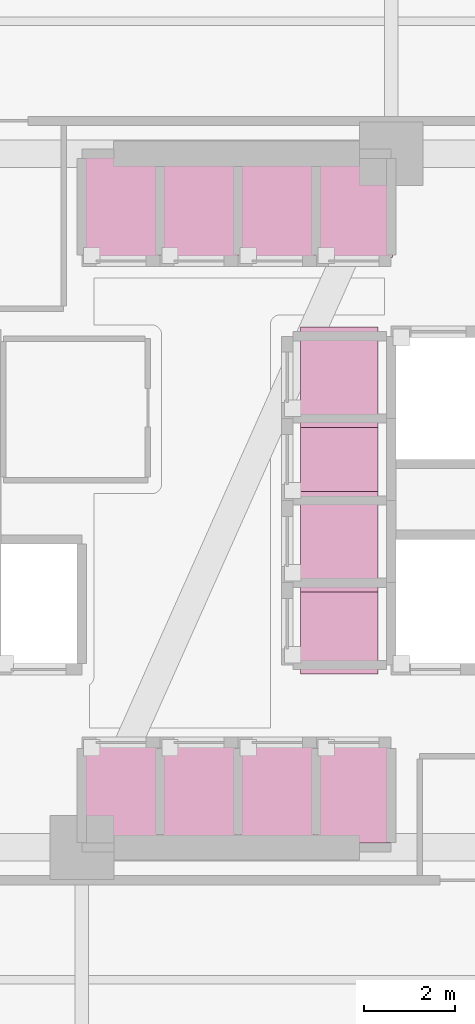
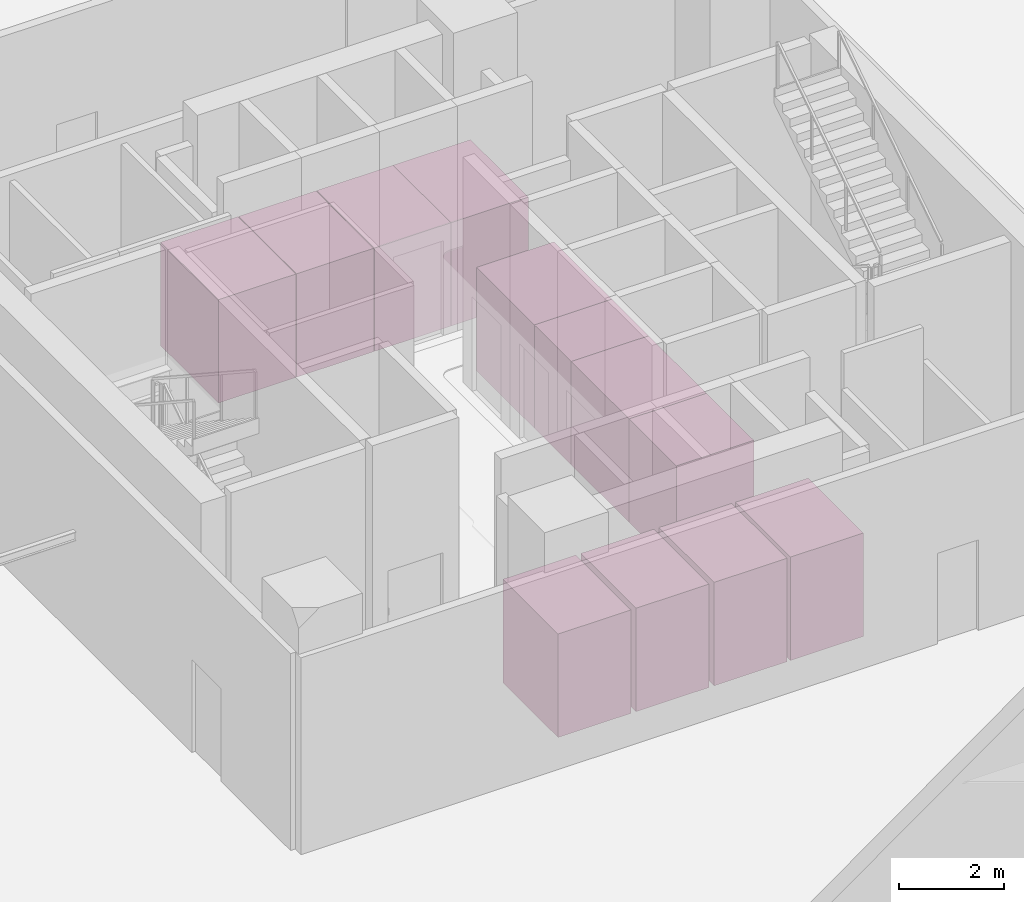
# One storey, part 27 of 27: 12 transport elements.
"""IFC4 building model written with IfcOpenShell, lengths in metres."""

from ifc_helpers import new_model, si_unit, direction, frame, origin, origin_2d, place, context, subcontext, project, spatial, rectangle, extrude, material, type_object, element, save


model = new_model("IFC4")

# Units and contexts
model_context = context("Model", 3, precision=1e-05, world=origin(), true_north=direction((0.0, 1.0)))
body_context = subcontext(model_context, "Body", "Model", "MODEL_VIEW")
ifc_project = project(units=[si_unit("LENGTHUNIT", "METRE"), si_unit("AREAUNIT", "SQUARE_METRE"), si_unit("VOLUMEUNIT", "CUBIC_METRE"), si_unit("PLANEANGLEUNIT", "RADIAN"), si_unit("MASSUNIT", "GRAM", prefix="KILO")], contexts=[model_context])

# Site, building, storey
site_placement = place(None, origin())
site = spatial("IfcSite", under=ifc_project, at=site_placement, CompositionType="ELEMENT")
building_placement = place(site_placement, origin())
building = spatial("IfcBuilding", under=site, at=building_placement, Name="Tharavind Bronze Gate", CompositionType="ELEMENT")
storey_placement = place(building_placement, origin())
storey = spatial("IfcBuildingStorey", under=building, at=storey_placement, Name="L00", CompositionType="ELEMENT", Elevation=0.0)

# Transport elements
ifc_material = material(Name="Brushed Bronze & Stainless Steel", Category="steel")
transport_element_type = type_object("IfcTransportElementType", Name="PASSENGER HIGH-SPEED ELEVATOR", PredefinedType="ELEVATOR", material=ifc_material)
for number, where, z_axis, x_axis, name in (
    (1, (-2.643798828125, -6.449951171875, 0.0), (0.0, 0.0, 1.0), (1.0, 0.0, 0.0), "Lift PL1"),
    (2, (-0.931396484375, -6.449951171875, 0.0), (0.0, 0.0, 1.0), (1.0, 0.0, 0.0), "Lift PL2"),
    (3, (0.78125, -6.449951171875, 0.0), (0.0, 0.0, 1.0), (1.0, 0.0, 0.0), "Lift PL3"),
    (4, (2.458740234375, -6.449951171875, 0.0), (0.0, 0.0, 1.0), (1.0, 0.0, 0.0), "Lift PL4"),
):
    element("IfcTransportElement", number, at=place(storey_placement, frame(where, z_axis=z_axis, x_axis=x_axis)), inside=storey, type_object=transport_element_type, Name=name, PredefinedType="ELEVATOR", context=body_context, shape_type="SweptSolid", body=[
        extrude(rectangle(XDim=1.60009765625, YDim=2.10009765625, at=origin_2d()), origin(), (0.0, 0.0, 1.0), 2.39990234375),
    ])
for number, where, z_axis, x_axis, name in (
    (5, (-2.643798828125, 6.425048828125, 0.0), (0.0, 0.0, 1.0), (1.0, 0.0, 0.0), "Lift PL5"),
    (6, (-0.931396484375, 6.425048828125, 0.0), (0.0, 0.0, 1.0), (1.0, 0.0, 0.0), "Lift PL6"),
    (7, (0.78125, 6.425048828125, 0.0), (0.0, 0.0, 1.0), (1.0, 0.0, 0.0), "Lift PL7"),
    (8, (2.458740234375, 6.425048828125, 0.0), (0.0, 0.0, 1.0), (1.0, 0.0, 0.0), "Lift PL8"),
    (9, (2.139892578125, -2.699951171875, 0.0), (0.0, 0.0, 1.0), (1.0, 0.0, 0.0), "Lift PL9"),
    (10, (2.139892578125, -0.89990234375, 0.0), (0.0, 0.0, 1.0), (1.0, 0.0, 0.0), "Lift PL10"),
    (11, (2.139892578125, 0.89990234375, 0.0), (0.0, 0.0, 1.0), (1.0, 0.0, 0.0), "Lift PL11"),
    (12, (2.139892578125, 2.699951171875, 0.0), (0.0, 0.0, 1.0), (1.0, 0.0, 0.0), "Lift PL12"),
):
    element("IfcTransportElement", number, at=place(storey_placement, frame(where, z_axis=z_axis, x_axis=x_axis)), inside=storey, type_object=transport_element_type, Name=name, PredefinedType="ELEVATOR", context=body_context, shape_type="SweptSolid", body=[
        extrude(rectangle(XDim=1.699951171875, YDim=2.199951171875, at=origin_2d()), origin(), (0.0, 0.0, 1.0), 2.39990234375),
    ])

save(model, "model.ifc")
